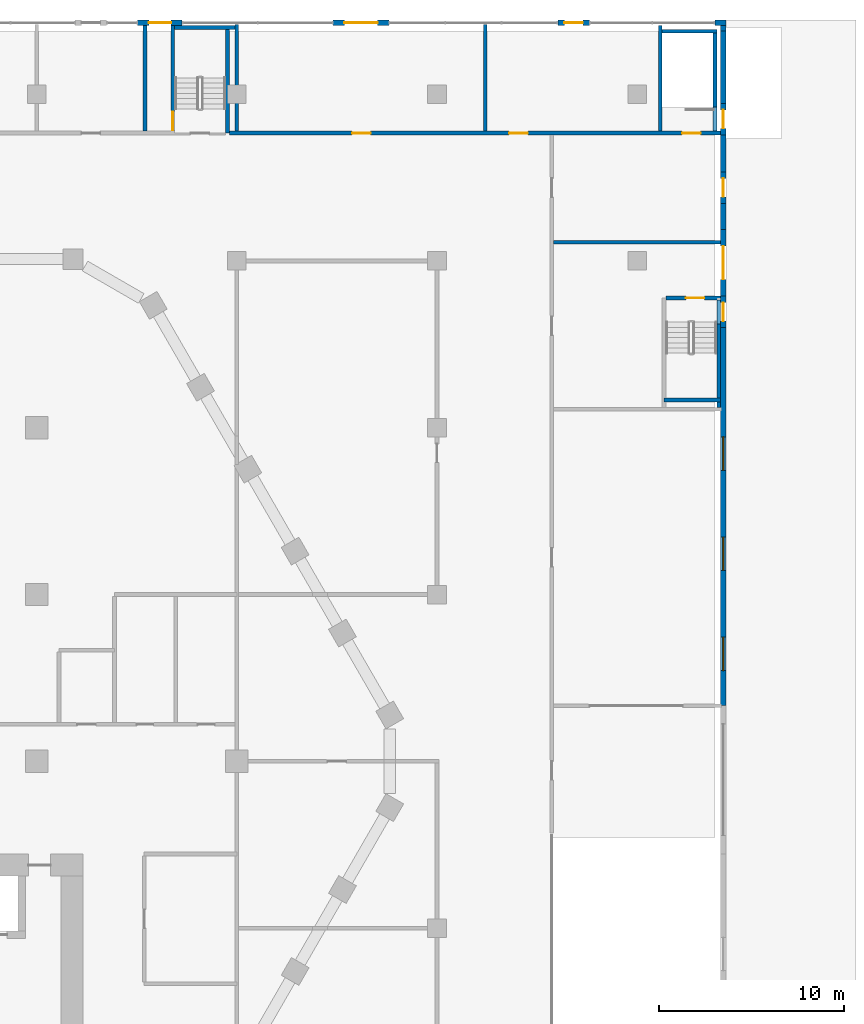
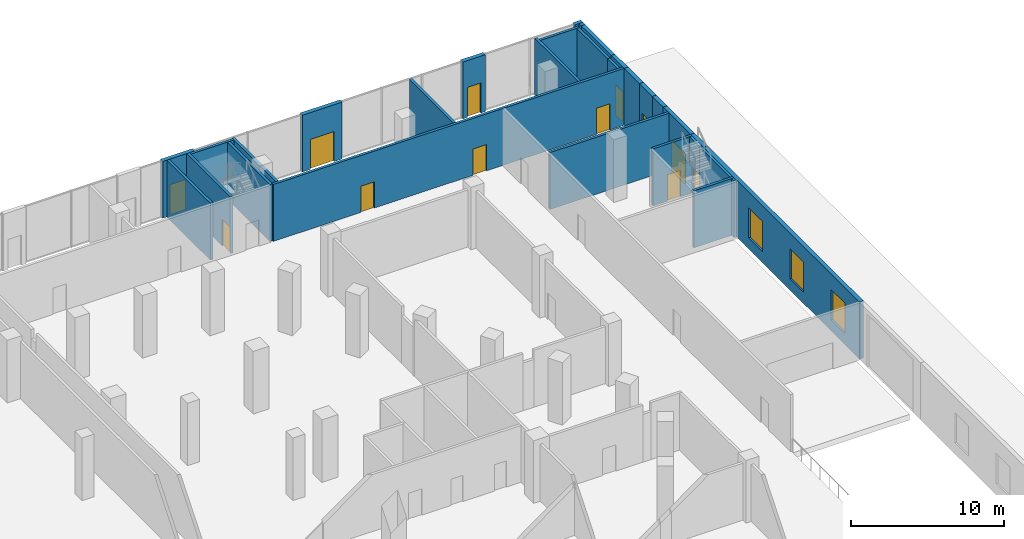
# One storey, part 28 of 57: 29 walls, 12 doors, 3 windows, 15 openings.
"""IFC4 building model written with IfcOpenShell, lengths in metres."""

from ifc_helpers import new_model, si_unit, direction, frame, frame_2d, origin, place, context, subcontext, project, spatial, rectangle, extrude, material, layer, layer_set, type_object, element, fill, save


model = new_model("IFC4")

# Units and contexts
model_context = context("Model", 3, precision=1e-05, world=origin(), true_north=direction((0.0, 1.0)))
body_context = subcontext(model_context, "Body", "Model", "MODEL_VIEW")
ifc_project = project(units=[si_unit("LENGTHUNIT", "METRE"), si_unit("AREAUNIT", "SQUARE_METRE"), si_unit("VOLUMEUNIT", "CUBIC_METRE"), si_unit("PLANEANGLEUNIT", "RADIAN"), si_unit("MASSUNIT", "GRAM", prefix="KILO")], contexts=[model_context])

# Site, building, storey
site_placement = place(None, origin())
site = spatial("IfcSite", under=ifc_project, at=site_placement, CompositionType="ELEMENT")
building_placement = place(site_placement, origin())
building = spatial("IfcBuilding", under=site, at=building_placement, Name="Beryl Residences", CompositionType="ELEMENT")
storey_placement = place(building_placement, origin())
storey = spatial("IfcBuildingStorey", under=building, at=storey_placement, Name="L00", CompositionType="ELEMENT", Elevation=0.0)

# Wall, openings, windows
ifc_material_1 = material(Name="Composite metal panel with mineral wool insulation")
ifc_layer_1 = layer(ifc_material_1, 0.300048828125)
ifc_layer_set_1 = layer_set([ifc_layer_1], Name="ES1 pale metal composite panel wall 300 mm")
wall_type_1 = type_object("IfcWallType", Name="ES1 pale metal composite panel wall 300 mm", PredefinedType="SOLIDWALL", material=ifc_layer_set_1)
wall_1_placement = place(storey_placement, frame((47.85009765625, 3.0, 0.0), z_axis=(0.0, 0.0, 1.0), x_axis=(0.0, 1.0, 0.0)))
wall_1 = element("IfcWall", 1, at=wall_1_placement, inside=storey, type_object=wall_type_1, Name="ES1 external wall L00 E 4", PredefinedType="SOLIDWALL", context=body_context, shape_type="SweptSolid", body=[
    extrude(rectangle(XDim=20.39990234375, YDim=0.300048828125, at=frame_2d((10.199951171875, 0.0))), origin(), (0.0, 0.0, 1.0), 4.550048828125),
])
opening_1_placement = place(wall_1_placement, frame((1.89990234375, 0.0, 0.89990234375)))
opening_1 = element("IfcOpeningElement", 2, at=opening_1_placement, cuts=wall_1, Name="Opening W4", PredefinedType="OPENING", context=body_context, shape_type="SweptSolid", body=[
    extrude(rectangle(XDim=1.800048828125, YDim=2.39990234375, at=frame_2d((0.89990234375, 1.199951171875))), frame((0.0, 0.159912109375, 0.0), z_axis=(0.0, -1.0, 0.0), x_axis=(1.0, 0.0, 0.0)), (0.0, 0.0, 1.0), 0.320068359375),
])
opening_2_placement = place(wall_1_placement, frame((7.300048828125, 0.0, 0.89990234375)))
opening_2 = element("IfcOpeningElement", 3, at=opening_2_placement, cuts=wall_1, Name="Opening W4", PredefinedType="OPENING", context=body_context, shape_type="SweptSolid", body=[
    extrude(rectangle(XDim=1.800048828125, YDim=2.39990234375, at=frame_2d((0.89990234375, 1.199951171875))), frame((0.0, 0.159912109375, 0.0), z_axis=(0.0, -1.0, 0.0), x_axis=(1.0, 0.0, 0.0)), (0.0, 0.0, 1.0), 0.320068359375),
])
opening_3_placement = place(wall_1_placement, frame((12.699951171875, 0.0, 0.89990234375)))
opening_3 = element("IfcOpeningElement", 4, at=opening_3_placement, cuts=wall_1, Name="Opening W4", PredefinedType="OPENING", context=body_context, shape_type="SweptSolid", body=[
    extrude(rectangle(XDim=1.800048828125, YDim=2.39990234375, at=frame_2d((0.89990234375, 1.199951171875))), frame((0.0, 0.159912109375, 0.0), z_axis=(0.0, -1.0, 0.0), x_axis=(1.0, 0.0, 0.0)), (0.0, 0.0, 1.0), 0.320068359375),
])
ifc_material_2 = material(Name="Aluminium and clear glass", Category="aluminium")
window_type = type_object("IfcWindowType", Name="W4 podium window 1800 x 2400 mm", PartitioningType="SINGLE_PANEL", PredefinedType="WINDOW", material=ifc_material_2)
window_1_placement = place(opening_1_placement, origin())
window_1 = element("IfcWindow", 5, at=window_1_placement, inside=storey, type_object=window_type, Name="W4 window L00 E 1", OverallHeight=2.39990234375, OverallWidth=1.800048828125, PartitioningType="SINGLE_PANEL", PredefinedType="WINDOW", context=body_context, shape_type="SweptSolid", body=[
    extrude(rectangle(XDim=1.800048828125, YDim=2.39990234375, at=frame_2d((0.89990234375, 1.199951171875))), frame((0.0, 0.030029296875, 0.0), z_axis=(0.0, -1.0, 0.0), x_axis=(1.0, 0.0, 0.0)), (0.0, 0.0, 1.0), 0.06005859375),
])
fill(opening_1, window_1)
window_2_placement = place(opening_2_placement, origin())
window_2 = element("IfcWindow", 6, at=window_2_placement, inside=storey, type_object=window_type, Name="W4 window L00 E 2", OverallHeight=2.39990234375, OverallWidth=1.800048828125, PartitioningType="SINGLE_PANEL", PredefinedType="WINDOW", context=body_context, shape_type="SweptSolid", body=[
    extrude(rectangle(XDim=1.800048828125, YDim=2.39990234375, at=frame_2d((0.89990234375, 1.199951171875))), frame((0.0, 0.030029296875, 0.0), z_axis=(0.0, -1.0, 0.0), x_axis=(1.0, 0.0, 0.0)), (0.0, 0.0, 1.0), 0.06005859375),
])
fill(opening_2, window_2)
window_3_placement = place(opening_3_placement, origin())
window_3 = element("IfcWindow", 7, at=window_3_placement, inside=storey, type_object=window_type, Name="W4 window L00 E 3", OverallHeight=2.39990234375, OverallWidth=1.800048828125, PartitioningType="SINGLE_PANEL", PredefinedType="WINDOW", context=body_context, shape_type="SweptSolid", body=[
    extrude(rectangle(XDim=1.800048828125, YDim=2.39990234375, at=frame_2d((0.89990234375, 1.199951171875))), frame((0.0, 0.030029296875, 0.0), z_axis=(0.0, -1.0, 0.0), x_axis=(1.0, 0.0, 0.0)), (0.0, 0.0, 1.0), 0.06005859375),
])
fill(opening_3, window_3)

# Wall, opening, door
wall_2_placement = place(storey_placement, frame((47.85009765625, 23.39990234375, 0.0), z_axis=(0.0, 0.0, 1.0), x_axis=(0.0, 1.0, 0.0)))
wall_2 = element("IfcWall", 8, at=wall_2_placement, inside=storey, type_object=wall_type_1, Name="ES1 entrance wall L00 E", PredefinedType="SOLIDWALL", context=body_context, shape_type="SweptSolid", body=[
    extrude(rectangle(XDim=1.7001953125, YDim=0.300048828125, at=frame_2d((0.85009765625, 0.0))), origin(), (0.0, 0.0, 1.0), 4.550048828125),
])
opening_4_placement = place(wall_2_placement, frame((1.35009765625, 0.0, 0.0), z_axis=(0.0, 0.0, 1.0), x_axis=(-1.0, 0.0, 0.0)))
opening_4 = element("IfcOpeningElement", 9, at=opening_4_placement, cuts=wall_2, Name="Opening XD2", PredefinedType="OPENING", context=body_context, shape_type="SweptSolid", body=[
    extrude(rectangle(XDim=1.0, YDim=2.39990234375, at=frame_2d((0.5, 1.199951171875))), frame((0.0, 0.159912109375, 0.0), z_axis=(0.0, -1.0, 0.0), x_axis=(1.0, 0.0, 0.0)), (0.0, 0.0, 1.0), 0.320068359375),
])
ifc_material_3 = material(Name="Galvanised steel", Category="steel")
door_type_1 = type_object("IfcDoorType", Name="XD2 exit door 1000 x 2400 mm", OperationType="SINGLE_SWING_RIGHT", PredefinedType="DOOR", material=ifc_material_3)
door_1_placement = place(opening_4_placement, origin())
door_1 = element("IfcDoor", 10, at=door_1_placement, inside=storey, type_object=door_type_1, Name="XD2 exit door L00 E", OperationType="SINGLE_SWING_RIGHT", OverallHeight=2.39990234375, OverallWidth=1.0, PredefinedType="DOOR", context=body_context, shape_type="SweptSolid", body=[
    extrude(rectangle(XDim=1.0, YDim=2.39990234375, at=frame_2d((0.5, 1.199951171875))), frame((0.0, 0.02490234375, 0.0), z_axis=(0.0, -1.0, 0.0), x_axis=(1.0, 0.0, 0.0)), (0.0, 0.0, 1.0), 0.050048828125),
])
fill(opening_4, door_1)

wall_3_placement = place(storey_placement, frame((47.85009765625, 25.10009765625, 0.0), z_axis=(0.0, 0.0, 1.0), x_axis=(0.0, 1.0, 0.0)))
wall_3 = element("IfcWall", 11, at=wall_3_placement, inside=storey, type_object=wall_type_1, Name="ES1 entrance wall L00 E", PredefinedType="SOLIDWALL", context=body_context, shape_type="SweptSolid", body=[
    extrude(rectangle(XDim=3.599853515625, YDim=0.300048828125, at=frame_2d((1.7998046875, 0.0))), origin(), (0.0, 0.0, 1.0), 4.550048828125),
])
opening_5_placement = place(wall_3_placement, frame((0.89990234375, 0.0, 0.0)))
opening_5 = element("IfcOpeningElement", 12, at=opening_5_placement, cuts=wall_3, Name="Opening SD2", PredefinedType="OPENING", context=body_context, shape_type="SweptSolid", body=[
    extrude(rectangle(XDim=1.800048828125, YDim=2.39990234375, at=frame_2d((0.89990234375, 1.199951171875))), frame((0.0, 0.159912109375, 0.0), z_axis=(0.0, -1.0, 0.0), x_axis=(1.0, 0.0, 0.0)), (0.0, 0.0, 1.0), 0.320068359375),
])
ifc_material_4 = material(Name="Galvanised steel", Category="steel")
door_type_2 = type_object("IfcDoorType", Name="SD2 service door 1800 x 2400 mm", OperationType="DOUBLE_DOOR_SINGLE_SWING", PredefinedType="DOOR", material=ifc_material_4)
door_2_placement = place(opening_5_placement, origin())
door_2 = element("IfcDoor", 13, at=door_2_placement, inside=storey, type_object=door_type_2, Name="SD2 service door L00 E", OperationType="DOUBLE_DOOR_SINGLE_SWING", OverallHeight=2.39990234375, OverallWidth=1.800048828125, PredefinedType="DOOR", context=body_context, shape_type="SweptSolid", body=[
    extrude(rectangle(XDim=1.800048828125, YDim=2.39990234375, at=frame_2d((0.89990234375, 1.199951171875))), frame((0.0, 0.02490234375, 0.0), z_axis=(0.0, -1.0, 0.0), x_axis=(1.0, 0.0, 0.0)), (0.0, 0.0, 1.0), 0.050048828125),
])
fill(opening_5, door_2)

# Walls
wall_4_placement = place(storey_placement, frame((47.85009765625, 28.699951171875, 0.0), z_axis=(0.0, 0.0, 1.0), x_axis=(0.0, 1.0, 0.0)))
element("IfcWall", 14, at=wall_4_placement, inside=storey, type_object=wall_type_1, Name="ES1 external wall L00 E 7", PredefinedType="SOLIDWALL", context=body_context, shape_type="SweptSolid", body=[
    extrude(rectangle(XDim=1.400146484375, YDim=0.300048828125, at=frame_2d((0.7001953125, 0.0))), origin(), (0.0, 0.0, 1.0), 4.550048828125),
])
wall_5_placement = place(storey_placement, frame((47.85009765625, 31.800048828125, 0.0), z_axis=(0.0, 0.0, 1.0), x_axis=(0.0, 1.0, 0.0)))
element("IfcWall", 15, at=wall_5_placement, inside=storey, type_object=wall_type_1, Name="ES1 external wall L00 E 9", PredefinedType="SOLIDWALL", context=body_context, shape_type="SweptSolid", body=[
    extrude(rectangle(XDim=2.0, YDim=0.300048828125, at=frame_2d((1.0, 0.0))), origin(), (0.0, 0.0, 1.0), 4.550048828125),
])

# Wall, opening, door
wall_6_placement = place(storey_placement, frame((47.85009765625, 33.800048828125, 0.0), z_axis=(0.0, 0.0, 1.0), x_axis=(0.0, 1.0, 0.0)))
wall_6 = element("IfcWall", 16, at=wall_6_placement, inside=storey, type_object=wall_type_1, Name="ES1 entrance wall L00 E", PredefinedType="SOLIDWALL", context=body_context, shape_type="SweptSolid", body=[
    extrude(rectangle(XDim=1.699951171875, YDim=0.300048828125, at=frame_2d((0.85009765625, 0.0))), origin(), (0.0, 0.0, 1.0), 4.550048828125),
])
opening_6_placement = place(wall_6_placement, frame((1.35009765625, 0.0, 0.0), z_axis=(0.0, 0.0, 1.0), x_axis=(-1.0, 0.0, 0.0)))
opening_6 = element("IfcOpeningElement", 17, at=opening_6_placement, cuts=wall_6, Name="Opening XD2", PredefinedType="OPENING", context=body_context, shape_type="SweptSolid", body=[
    extrude(rectangle(XDim=1.0, YDim=2.39990234375, at=frame_2d((0.5, 1.199951171875))), frame((0.0, 0.159912109375, 0.0), z_axis=(0.0, -1.0, 0.0), x_axis=(1.0, 0.0, 0.0)), (0.0, 0.0, 1.0), 0.320068359375),
])
door_3_placement = place(opening_6_placement, origin())
door_3 = element("IfcDoor", 18, at=door_3_placement, inside=storey, type_object=door_type_1, Name="XD2 exit door L00 E", OperationType="SINGLE_SWING_RIGHT", OverallHeight=2.39990234375, OverallWidth=1.0, PredefinedType="DOOR", context=body_context, shape_type="SweptSolid", body=[
    extrude(rectangle(XDim=1.0, YDim=2.39990234375, at=frame_2d((0.5, 1.199951171875))), frame((0.0, 0.02490234375, 0.0), z_axis=(0.0, -1.0, 0.0), x_axis=(1.0, 0.0, 0.0)), (0.0, 0.0, 1.0), 0.050048828125),
])
fill(opening_6, door_3)

# Walls
wall_7_placement = place(storey_placement, frame((47.85009765625, 35.5, 0.0), z_axis=(0.0, 0.0, 1.0), x_axis=(0.0, 1.0, 0.0)))
element("IfcWall", 19, at=wall_7_placement, inside=storey, type_object=wall_type_1, Name="ES1 external wall L00 E 11", PredefinedType="SOLIDWALL", context=body_context, shape_type="SweptSolid", body=[
    extrude(rectangle(XDim=3.89990234375, YDim=0.300048828125, at=frame_2d((1.949951171875, 0.0))), origin(), (0.0, 0.0, 1.0), 4.550048828125),
])
wall_8_placement = place(storey_placement, frame((47.85009765625, 39.39990234375, 0.0), z_axis=(0.0, 0.0, 1.0), x_axis=(0.0, 1.0, 0.0)))
element("IfcWall", 20, at=wall_8_placement, inside=storey, type_object=wall_type_1, Name="ES1 external wall L00 E 12", PredefinedType="SOLIDWALL", context=body_context, shape_type="SweptSolid", body=[
    extrude(rectangle(XDim=0.300048828125, YDim=0.300048828125, at=frame_2d((0.14990234375, 0.0))), origin(), (0.0, 0.0, 1.0), 4.550048828125),
])
wall_9_placement = place(storey_placement, frame((48.0, 39.85009765625, 0.0), z_axis=(0.0, 0.0, 1.0), x_axis=(-1.0, 0.0, 0.0)))
element("IfcWall", 21, at=wall_9_placement, inside=storey, type_object=wall_type_1, Name="ES1 external wall L00 N 1", PredefinedType="SOLIDWALL", context=body_context, shape_type="SweptSolid", body=[
    extrude(rectangle(XDim=0.60009765625, YDim=0.300048828125, at=frame_2d((0.300048828125, 0.0))), origin(), (0.0, 0.0, 1.0), 4.550048828125),
])

# Wall, opening, door
wall_10_placement = place(storey_placement, frame((18.64990234375, 39.85009765625, 0.0), z_axis=(0.0, 0.0, 1.0), x_axis=(-1.0, 0.0, 0.0)))
wall_10 = element("IfcWall", 22, at=wall_10_placement, inside=storey, type_object=wall_type_1, Name="ES1 entrance wall L00 N", PredefinedType="SOLIDWALL", context=body_context, shape_type="SweptSolid", body=[
    extrude(rectangle(XDim=2.39990234375, YDim=0.300048828125, at=frame_2d((1.199951171875, 0.0))), origin(), (0.0, 0.0, 1.0), 4.550048828125),
])
opening_7_placement = place(wall_10_placement, frame((1.800048828125, 0.0, 0.0), z_axis=(0.0, 0.0, 1.0), x_axis=(-1.0, 0.0, 0.0)))
opening_7 = element("IfcOpeningElement", 23, at=opening_7_placement, cuts=wall_10, Name="Opening XD1", PredefinedType="OPENING", context=body_context, shape_type="SweptSolid", body=[
    extrude(rectangle(XDim=1.199951171875, YDim=2.39990234375, at=frame_2d((0.60009765625, 1.199951171875))), frame((0.0, 0.159912109375, 0.0), z_axis=(0.0, -1.0, 0.0), x_axis=(1.0, 0.0, 0.0)), (0.0, 0.0, 1.0), 0.320068359375),
])
ifc_material_5 = material(Name="Galvanised steel", Category="steel")
door_type_3 = type_object("IfcDoorType", Name="XD1 exit door 1200 x 2400 mm", OperationType="SINGLE_SWING_RIGHT", PredefinedType="DOOR", material=ifc_material_5)
door_4_placement = place(opening_7_placement, origin())
door_4 = element("IfcDoor", 24, at=door_4_placement, inside=storey, type_object=door_type_3, Name="XD1 exit door L00 N", OperationType="SINGLE_SWING_RIGHT", OverallHeight=2.39990234375, OverallWidth=1.199951171875, PredefinedType="DOOR", context=body_context, shape_type="SweptSolid", body=[
    extrude(rectangle(XDim=1.199951171875, YDim=2.39990234375, at=frame_2d((0.60009765625, 1.199951171875))), frame((0.0, 0.02490234375, 0.0), z_axis=(0.0, -1.0, 0.0), x_axis=(1.0, 0.0, 0.0)), (0.0, 0.0, 1.0), 0.050048828125),
])
fill(opening_7, door_4)

ifc_material_6 = material(Name="Aluminium framed insulated wall", Category="aluminium")
ifc_layer_2 = layer(ifc_material_6, 0.14990234375)
ifc_layer_set_2 = layer_set([ifc_layer_2], Name="GW1 glazed door wall 150 mm")
wall_type_2 = type_object("IfcWallType", Name="GW1 glazed door wall 150 mm", PredefinedType="SOLIDWALL", material=ifc_layer_set_2)
wall_11_placement = place(storey_placement, frame((47.85009765625, 30.10009765625, 0.0), z_axis=(0.0, 0.0, 1.0), x_axis=(0.0, 1.0, 0.0)))
wall_11 = element("IfcWall", 25, at=wall_11_placement, inside=storey, type_object=wall_type_2, Name="GW1 shopfront door wall L00 E", PredefinedType="SOLIDWALL", context=body_context, shape_type="SweptSolid", body=[
    extrude(rectangle(XDim=1.699951171875, YDim=0.300048828125, at=frame_2d((0.85009765625, 0.0))), origin(), (0.0, 0.0, 1.0), 4.550048828125),
])
opening_8_placement = place(wall_11_placement, frame((1.35009765625, 0.0, 0.0), z_axis=(0.0, 0.0, 1.0), x_axis=(-1.0, 0.0, 0.0)))
opening_8 = element("IfcOpeningElement", 26, at=opening_8_placement, cuts=wall_11, Name="Opening ED4", PredefinedType="OPENING", context=body_context, shape_type="SweptSolid", body=[
    extrude(rectangle(XDim=1.0, YDim=2.39990234375, at=frame_2d((0.5, 1.199951171875))), frame((0.0, 0.159912109375, 0.0), z_axis=(0.0, -1.0, 0.0), x_axis=(1.0, 0.0, 0.0)), (0.0, 0.0, 1.0), 0.320068359375),
])
ifc_material_7 = material(Name="Aluminium and clear glass", Category="aluminium")
door_type_4 = type_object("IfcDoorType", Name="ED4 street door 1000 x 2400 mm", OperationType="SINGLE_SWING_RIGHT", PredefinedType="DOOR", material=ifc_material_7)
door_5_placement = place(opening_8_placement, origin())
door_5 = element("IfcDoor", 27, at=door_5_placement, inside=storey, type_object=door_type_4, Name="ED4 street door L00 E", OperationType="SINGLE_SWING_RIGHT", OverallHeight=2.39990234375, OverallWidth=1.0, PredefinedType="DOOR", context=body_context, shape_type="SweptSolid", body=[
    extrude(rectangle(XDim=1.0, YDim=2.39990234375, at=frame_2d((0.5, 1.199951171875))), frame((0.0, 0.02490234375, 0.0), z_axis=(0.0, -1.0, 0.0), x_axis=(1.0, 0.0, 0.0)), (0.0, 0.0, 1.0), 0.050048828125),
])
fill(opening_8, door_5)

wall_12_placement = place(storey_placement, frame((40.625, 39.85009765625, 0.0), z_axis=(0.0, 0.0, 1.0), x_axis=(-1.0, 0.0, 0.0)))
wall_12 = element("IfcWall", 28, at=wall_12_placement, inside=storey, type_object=wall_type_2, Name="GW1 shopfront door wall L00 N", PredefinedType="SOLIDWALL", context=body_context, shape_type="SweptSolid", body=[
    extrude(rectangle(XDim=1.699951171875, YDim=0.300048828125, at=frame_2d((0.85009765625, 0.0))), origin(), (0.0, 0.0, 1.0), 4.550048828125),
])
opening_9_placement = place(wall_12_placement, frame((1.35009765625, 0.0, 0.0), z_axis=(0.0, 0.0, 1.0), x_axis=(-1.0, 0.0, 0.0)))
opening_9 = element("IfcOpeningElement", 29, at=opening_9_placement, cuts=wall_12, Name="Opening ED4", PredefinedType="OPENING", context=body_context, shape_type="SweptSolid", body=[
    extrude(rectangle(XDim=1.0, YDim=2.39990234375, at=frame_2d((0.5, 1.199951171875))), frame((0.0, 0.159912109375, 0.0), z_axis=(0.0, -1.0, 0.0), x_axis=(1.0, 0.0, 0.0)), (0.0, 0.0, 1.0), 0.320068359375),
])
door_6_placement = place(opening_9_placement, origin())
door_6 = element("IfcDoor", 30, at=door_6_placement, inside=storey, type_object=door_type_4, Name="ED4 street door L00 N", OperationType="SINGLE_SWING_RIGHT", OverallHeight=2.39990234375, OverallWidth=1.0, PredefinedType="DOOR", context=body_context, shape_type="SweptSolid", body=[
    extrude(rectangle(XDim=1.0, YDim=2.39990234375, at=frame_2d((0.5, 1.199951171875))), frame((0.0, 0.02490234375, 0.0), z_axis=(0.0, -1.0, 0.0), x_axis=(1.0, 0.0, 0.0)), (0.0, 0.0, 1.0), 0.050048828125),
])
fill(opening_9, door_6)

wall_13_placement = place(storey_placement, frame((29.800048828125, 39.85009765625, 0.0), z_axis=(0.0, 0.0, 1.0), x_axis=(-1.0, 0.0, 0.0)))
wall_13 = element("IfcWall", 31, at=wall_13_placement, inside=storey, type_object=wall_type_2, Name="GW1 shopfront door wall L00 N", PredefinedType="SOLIDWALL", context=body_context, shape_type="SweptSolid", body=[
    extrude(rectangle(XDim=3.0, YDim=0.300048828125, at=frame_2d((1.5, 0.0))), origin(), (0.0, 0.0, 1.0), 4.550048828125),
])
opening_10_placement = place(wall_13_placement, frame((2.400146484375, 0.0, 0.0), z_axis=(0.0, 0.0, 1.0), x_axis=(-1.0, 0.0, 0.0)))
opening_10 = element("IfcOpeningElement", 32, at=opening_10_placement, cuts=wall_13, Name="Opening ED3", PredefinedType="OPENING", context=body_context, shape_type="SweptSolid", body=[
    extrude(rectangle(XDim=1.800048828125, YDim=2.39990234375, at=frame_2d((0.89990234375, 1.199951171875))), frame((0.0, 0.159912109375, 0.0), z_axis=(0.0, -1.0, 0.0), x_axis=(1.0, 0.0, 0.0)), (0.0, 0.0, 1.0), 0.320068359375),
])
ifc_material_8 = material(Name="Aluminium and clear glass", Category="aluminium")
door_type_5 = type_object("IfcDoorType", Name="ED3 shopfront door 1800 x 2400 mm", OperationType="DOUBLE_DOOR_DOUBLE_SWING", PredefinedType="DOOR", material=ifc_material_8)
door_7_placement = place(opening_10_placement, origin())
door_7 = element("IfcDoor", 33, at=door_7_placement, inside=storey, type_object=door_type_5, Name="ED3 shop door L00 N", OperationType="DOUBLE_DOOR_DOUBLE_SWING", OverallHeight=2.39990234375, OverallWidth=1.800048828125, PredefinedType="DOOR", context=body_context, shape_type="SweptSolid", body=[
    extrude(rectangle(XDim=1.800048828125, YDim=2.39990234375, at=frame_2d((0.89990234375, 1.199951171875))), frame((0.0, 0.02490234375, 0.0), z_axis=(0.0, -1.0, 0.0), x_axis=(1.0, 0.0, 0.0)), (0.0, 0.0, 1.0), 0.050048828125),
])
fill(opening_10, door_7)

# Walls
ifc_material_9 = material(Name="Double stud gypsum board wall")
ifc_layer_3 = layer(ifc_material_9, 0.199951171875)
ifc_layer_set_3 = layer_set([ifc_layer_3], Name="PT10 tenancy wall 200 mm")
wall_type_3 = type_object("IfcWallType", Name="PT10 tenancy wall 200 mm", PredefinedType="PARTITIONING", material=ifc_layer_set_3)
for number, where, z_axis, x_axis, name in (
    (34, (21.60009765625, 34.0, 0.0), (0.0, 0.0, 1.0), (0.0, 1.0, 0.0), "Wall PT10 L00 028"),
    (35, (35.0, 34.0, 0.0), (0.0, 0.0, 1.0), (0.0, 1.0, 0.0), "Wall PT10 L00 031"),
):
    element("IfcWall", number, at=place(storey_placement, frame(where, z_axis=z_axis, x_axis=x_axis)), inside=storey, type_object=wall_type_3, Name=name, PredefinedType="PARTITIONING", context=body_context, shape_type="SweptSolid", body=[
        extrude(rectangle(XDim=5.75, YDim=0.199951171875, at=frame_2d((2.875, 0.0))), origin(), (0.0, 0.0, 1.0), 4.550048828125),
    ])
ifc_material_10 = material(Name="Double stud gypsum board wall")
ifc_layer_4 = layer(ifc_material_10, 0.199951171875)
ifc_layer_set_4 = layer_set([ifc_layer_4], Name="PT4 corridor wall 200 mm double stud")
wall_type_4 = type_object("IfcWallType", Name="PT4 corridor wall 200 mm double stud", PredefinedType="PARTITIONING", material=ifc_layer_set_4)
wall_14_placement = place(storey_placement, frame((38.699951171875, 28.0, 0.0), z_axis=(0.0, 0.0, 1.0), x_axis=(1.0, 0.0, 0.0)))
element("IfcWall", 36, at=wall_14_placement, inside=storey, type_object=wall_type_4, Name="Wall PT4 L00 010", PredefinedType="PARTITIONING", context=body_context, shape_type="SweptSolid", body=[
    extrude(rectangle(XDim=9.050048828125, YDim=0.199951171875, at=frame_2d((4.52490234375, 0.0))), origin(), (0.0, 0.0, 1.0), 4.550048828125),
])
ifc_material_11 = material(Name="Concrete C40/50", Category="concrete")
ifc_layer_5 = layer(ifc_material_11, 0.199951171875)
ifc_layer_set_5 = layer_set([ifc_layer_5], Name="PT5 stair enclosure wall 200 mm reinforced concrete C40/50")
wall_type_5 = type_object("IfcWallType", Name="PT5 stair enclosure wall 200 mm reinforced concrete C40/50", PredefinedType="SOLIDWALL", material=ifc_layer_set_5)
wall_15_placement = place(storey_placement, frame((44.64990234375, 19.5, 0.0), z_axis=(0.0, 0.0, 1.0), x_axis=(1.0, 0.0, 0.0)))
element("IfcWall", 37, at=wall_15_placement, inside=storey, type_object=wall_type_5, Name="Wall PT5 L00 014", PredefinedType="SOLIDWALL", context=body_context, shape_type="SweptSolid", body=[
    extrude(rectangle(XDim=3.050048828125, YDim=0.199951171875, at=frame_2d((1.52490234375, 0.0))), origin(), (0.0, 0.0, 1.0), 4.550048828125),
])

# Wall, opening, door
wall_16_placement = place(storey_placement, frame((44.75, 25.0, 0.0), z_axis=(0.0, 0.0, 1.0), x_axis=(1.0, 0.0, 0.0)))
wall_16 = element("IfcWall", 38, at=wall_16_placement, inside=storey, type_object=wall_type_5, Name="Wall PT5 L00 015", PredefinedType="SOLIDWALL", context=body_context, shape_type="SweptSolid", body=[
    extrude(rectangle(XDim=2.949951171875, YDim=0.199951171875, at=frame_2d((1.47509765625, 0.0))), origin(), (0.0, 0.0, 1.0), 4.550048828125),
])
opening_11_placement = place(wall_16_placement, frame((2.074951171875, 0.0, 0.0), z_axis=(0.0, 0.0, 1.0), x_axis=(-1.0, 0.0, 0.0)))
opening_11 = element("IfcOpeningElement", 39, at=opening_11_placement, cuts=wall_16, Name="Opening L00-44", PredefinedType="OPENING", context=body_context, shape_type="SweptSolid", body=[
    extrude(rectangle(XDim=1.0, YDim=2.10009765625, at=frame_2d((0.5, 1.050048828125))), frame((0.0, 0.10986328125, 0.0), z_axis=(0.0, -1.0, 0.0), x_axis=(1.0, 0.0, 0.0)), (0.0, 0.0, 1.0), 0.219970703125),
])
ifc_material_12 = material(Name="Steel door leaf in steel frame", Category="steel")
door_type_6 = type_object("IfcDoorType", Name="D15 stair door 1000 x 2100 mm", OperationType="SINGLE_SWING_LEFT", PredefinedType="DOOR", material=ifc_material_12)
door_8_placement = place(opening_11_placement, origin())
door_8 = element("IfcDoor", 40, at=door_8_placement, inside=storey, type_object=door_type_6, Name="Door L00-44 L00 001", OperationType="SINGLE_SWING_LEFT", OverallHeight=2.10009765625, OverallWidth=1.0, PredefinedType="DOOR", context=body_context, shape_type="SweptSolid", body=[
    extrude(rectangle(XDim=1.0, YDim=2.10009765625, at=frame_2d((0.5, 1.050048828125))), frame((0.0, 0.02490234375, 0.0), z_axis=(0.0, -1.0, 0.0), x_axis=(1.0, 0.0, 0.0)), (0.0, 0.0, 1.0), 0.050048828125),
])
fill(opening_11, door_8)

# Wall, openings, doors
wall_17_placement = place(storey_placement, frame((21.199951171875, 33.89990234375, 0.0), z_axis=(0.0, 0.0, 1.0), x_axis=(1.0, 0.0, 0.0)))
wall_17 = element("IfcWall", 41, at=wall_17_placement, inside=storey, type_object=wall_type_5, Name="Wall PT5 L00 021", PredefinedType="SOLIDWALL", context=body_context, shape_type="SweptSolid", body=[
    extrude(rectangle(XDim=26.5, YDim=0.199951171875, at=frame_2d((13.25, 0.0))), origin(), (0.0, 0.0, 1.0), 4.550048828125),
])
opening_12_placement = place(wall_17_placement, frame((15.097900390625, 0.0, 0.0)))
opening_12 = element("IfcOpeningElement", 42, at=opening_12_placement, cuts=wall_17, Name="Opening L00-24", PredefinedType="OPENING", context=body_context, shape_type="SweptSolid", body=[
    extrude(rectangle(XDim=1.0, YDim=2.10009765625, at=frame_2d((0.5, 1.050048828125))), frame((0.0, 0.10986328125, 0.0), z_axis=(0.0, -1.0, 0.0), x_axis=(1.0, 0.0, 0.0)), (0.0, 0.0, 1.0), 0.219970703125),
])
opening_13_placement = place(wall_17_placement, frame((6.62109375, 0.0, 0.0)))
opening_13 = element("IfcOpeningElement", 43, at=opening_13_placement, cuts=wall_17, Name="Opening L00-26", PredefinedType="OPENING", context=body_context, shape_type="SweptSolid", body=[
    extrude(rectangle(XDim=1.0, YDim=2.10009765625, at=frame_2d((0.5, 1.050048828125))), frame((0.0, 0.10986328125, 0.0), z_axis=(0.0, -1.0, 0.0), x_axis=(1.0, 0.0, 0.0)), (0.0, 0.0, 1.0), 0.219970703125),
])
opening_14_placement = place(wall_17_placement, frame((24.425048828125, 0.0, 0.0)))
opening_14 = element("IfcOpeningElement", 44, at=opening_14_placement, cuts=wall_17, Name="Opening L00-45", PredefinedType="OPENING", context=body_context, shape_type="SweptSolid", body=[
    extrude(rectangle(XDim=1.0, YDim=2.10009765625, at=frame_2d((0.5, 1.050048828125))), frame((0.0, 0.10986328125, 0.0), z_axis=(0.0, -1.0, 0.0), x_axis=(1.0, 0.0, 0.0)), (0.0, 0.0, 1.0), 0.219970703125),
])
door_9_placement = place(opening_14_placement, origin())
door_9 = element("IfcDoor", 45, at=door_9_placement, inside=storey, type_object=door_type_6, Name="Door L00-45 L00 001", OperationType="SINGLE_SWING_LEFT", OverallHeight=2.10009765625, OverallWidth=1.0, PredefinedType="DOOR", context=body_context, shape_type="SweptSolid", body=[
    extrude(rectangle(XDim=1.0, YDim=2.10009765625, at=frame_2d((0.5, 1.050048828125))), frame((0.0, 0.02490234375, 0.0), z_axis=(0.0, -1.0, 0.0), x_axis=(1.0, 0.0, 0.0)), (0.0, 0.0, 1.0), 0.050048828125),
])
fill(opening_14, door_9)
ifc_material_13 = material(Name="Timber door leaf", Category="wood")
door_type_7 = type_object("IfcDoorType", Name="D9 corridor door 1000 x 2100 mm", OperationType="SINGLE_SWING_LEFT", PredefinedType="DOOR", material=ifc_material_13)
door_10_placement = place(opening_12_placement, origin())
door_10 = element("IfcDoor", 46, at=door_10_placement, inside=storey, type_object=door_type_7, Name="Door L00-24 L00 001", OperationType="SINGLE_SWING_RIGHT", OverallHeight=2.10009765625, OverallWidth=1.0, PredefinedType="DOOR", context=body_context, shape_type="SweptSolid", body=[
    extrude(rectangle(XDim=1.0, YDim=2.10009765625, at=frame_2d((0.5, 1.050048828125))), frame((0.0, 0.02490234375, 0.0), z_axis=(0.0, -1.0, 0.0), x_axis=(1.0, 0.0, 0.0)), (0.0, 0.0, 1.0), 0.050048828125),
])
fill(opening_12, door_10)
door_11_placement = place(opening_13_placement, origin())
door_11 = element("IfcDoor", 47, at=door_11_placement, inside=storey, type_object=door_type_7, Name="Door L00-26 L00 001", OperationType="SINGLE_SWING_RIGHT", OverallHeight=2.10009765625, OverallWidth=1.0, PredefinedType="DOOR", context=body_context, shape_type="SweptSolid", body=[
    extrude(rectangle(XDim=1.0, YDim=2.10009765625, at=frame_2d((0.5, 1.050048828125))), frame((0.0, 0.02490234375, 0.0), z_axis=(0.0, -1.0, 0.0), x_axis=(1.0, 0.0, 0.0)), (0.0, 0.0, 1.0), 0.050048828125),
])
fill(opening_13, door_11)

# Wall
wall_18_placement = place(storey_placement, frame((16.64990234375, 34.0, 0.0), z_axis=(0.0, 0.0, 1.0), x_axis=(0.0, 1.0, 0.0)))
element("IfcWall", 48, at=wall_18_placement, inside=storey, type_object=wall_type_5, Name="Wall PT5 L00 054", PredefinedType="SOLIDWALL", context=body_context, shape_type="SweptSolid", body=[
    extrude(rectangle(XDim=5.699951171875, YDim=0.199951171875, at=frame_2d((2.85009765625, 0.0))), origin(), (0.0, 0.0, 1.0), 4.550048828125),
])

# Wall, opening, door
wall_19_placement = place(storey_placement, frame((18.14990234375, 34.0, 0.0), z_axis=(0.0, 0.0, 1.0), x_axis=(0.0, 1.0, 0.0)))
wall_19 = element("IfcWall", 49, at=wall_19_placement, inside=storey, type_object=wall_type_5, Name="Wall PT5 L00 055", PredefinedType="SOLIDWALL", context=body_context, shape_type="SweptSolid", body=[
    extrude(rectangle(XDim=5.699951171875, YDim=0.199951171875, at=frame_2d((2.85009765625, 0.0))), origin(), (0.0, 0.0, 1.0), 4.550048828125),
])
opening_15_placement = place(wall_19_placement, frame((0.050048828125, 0.0, 0.0)))
opening_15 = element("IfcOpeningElement", 50, at=opening_15_placement, cuts=wall_19, Name="Opening L00-54", PredefinedType="OPENING", context=body_context, shape_type="SweptSolid", body=[
    extrude(rectangle(XDim=1.0, YDim=2.10009765625, at=frame_2d((0.5, 1.050048828125))), frame((0.0, 0.10986328125, 0.0), z_axis=(0.0, -1.0, 0.0), x_axis=(1.0, 0.0, 0.0)), (0.0, 0.0, 1.0), 0.219970703125),
])
door_12_placement = place(opening_15_placement, origin())
door_12 = element("IfcDoor", 51, at=door_12_placement, inside=storey, type_object=door_type_6, Name="Door L00-54 L00 001", OperationType="SINGLE_SWING_LEFT", OverallHeight=2.10009765625, OverallWidth=1.0, PredefinedType="DOOR", context=body_context, shape_type="SweptSolid", body=[
    extrude(rectangle(XDim=1.0, YDim=2.10009765625, at=frame_2d((0.5, 1.050048828125))), frame((0.0, 0.02490234375, 0.0), z_axis=(0.0, -1.0, 0.0), x_axis=(1.0, 0.0, 0.0)), (0.0, 0.0, 1.0), 0.050048828125),
])
fill(opening_15, door_12)

# Walls
wall_20_placement = place(storey_placement, frame((21.10009765625, 33.89990234375, 0.0), z_axis=(0.0, 0.0, 1.0), x_axis=(0.0, 1.0, 0.0)))
element("IfcWall", 52, at=wall_20_placement, inside=storey, type_object=wall_type_5, Name="Wall PT5 L00 056", PredefinedType="SOLIDWALL", context=body_context, shape_type="SweptSolid", body=[
    extrude(rectangle(XDim=5.800048828125, YDim=0.199951171875, at=frame_2d((2.89990234375, 0.0))), origin(), (0.0, 0.0, 1.0), 4.550048828125),
])
wall_21_placement = place(storey_placement, frame((44.449951171875, 34.0, 0.0), z_axis=(0.0, 0.0, 1.0), x_axis=(0.0, 1.0, 0.0)))
element("IfcWall", 53, at=wall_21_placement, inside=storey, type_object=wall_type_5, Name="Wall PT5 L00 060", PredefinedType="SOLIDWALL", context=body_context, shape_type="SweptSolid", body=[
    extrude(rectangle(XDim=5.699951171875, YDim=0.199951171875, at=frame_2d((2.85009765625, 0.0))), origin(), (0.0, 0.0, 1.0), 4.550048828125),
])
wall_22_placement = place(storey_placement, frame((47.39990234375, 35.300048828125, 0.0), z_axis=(0.0, 0.0, 1.0), x_axis=(0.0, 1.0, 0.0)))
element("IfcWall", 54, at=wall_22_placement, inside=storey, type_object=wall_type_5, Name="Wall PT5 L00 066", PredefinedType="SOLIDWALL", context=body_context, shape_type="SweptSolid", body=[
    extrude(rectangle(XDim=4.0, YDim=0.199951171875, at=frame_2d((2.0, 0.0))), origin(), (0.0, 0.0, 1.0), 4.550048828125),
])
wall_23_placement = place(storey_placement, frame((47.39990234375, 34.0, 2.300048828125), z_axis=(0.0, 0.0, 1.0), x_axis=(0.0, 1.0, 0.0)))
element("IfcWall", 55, at=wall_23_placement, inside=storey, type_object=wall_type_5, Name="Wall PT5 L00 067", PredefinedType="SOLIDWALL", context=body_context, shape_type="SweptSolid", body=[
    extrude(rectangle(XDim=1.300048828125, YDim=0.199951171875, at=frame_2d((0.64990234375, 0.0))), origin(), (0.0, 0.0, 1.0), 2.25),
])
wall_24_placement = place(storey_placement, frame((44.550048828125, 39.39990234375, 0.0), z_axis=(0.0, 0.0, 1.0), x_axis=(1.0, 0.0, 0.0)))
element("IfcWall", 56, at=wall_24_placement, inside=storey, type_object=wall_type_5, Name="Wall PT5 L00 068", PredefinedType="SOLIDWALL", context=body_context, shape_type="SweptSolid", body=[
    extrude(rectangle(XDim=2.949951171875, YDim=0.199951171875, at=frame_2d((1.47509765625, 0.0))), origin(), (0.0, 0.0, 1.0), 4.550048828125),
])
wall_25_placement = place(storey_placement, frame((18.25, 39.60009765625, 0.0), z_axis=(0.0, 0.0, 1.0), x_axis=(1.0, 0.0, 0.0)))
element("IfcWall", 57, at=wall_25_placement, inside=storey, type_object=wall_type_5, Name="Wall PT5 L00 076", PredefinedType="SOLIDWALL", context=body_context, shape_type="SweptSolid", body=[
    extrude(rectangle(XDim=3.25, YDim=0.199951171875, at=frame_2d((1.625, 0.0))), origin(), (0.0, 0.0, 1.0), 4.550048828125),
])
wall_26_placement = place(storey_placement, frame((47.60009765625, 19.10009765625, 0.0), z_axis=(0.0, 0.0, 1.0), x_axis=(0.0, 1.0, 0.0)))
element("IfcWall", 58, at=wall_26_placement, inside=storey, type_object=wall_type_5, Name="Wall PT5 L00 080", PredefinedType="SOLIDWALL", context=body_context, shape_type="SweptSolid", body=[
    extrude(rectangle(XDim=4.5, YDim=0.199951171875, at=frame_2d((2.25, 0.0))), origin(), (0.0, 0.0, 1.0), 4.550048828125),
])
wall_27_placement = place(storey_placement, frame((47.60009765625, 23.60009765625, 2.300048828125), z_axis=(0.0, 0.0, 1.0), x_axis=(0.0, 1.0, 0.0)))
element("IfcWall", 59, at=wall_27_placement, inside=storey, type_object=wall_type_5, Name="Wall PT5 L00 081", PredefinedType="SOLIDWALL", context=body_context, shape_type="SweptSolid", body=[
    extrude(rectangle(XDim=1.2998046875, YDim=0.199951171875, at=frame_2d((0.64990234375, 0.0))), origin(), (0.0, 0.0, 1.0), 2.25),
])

save(model, "model.ifc")
